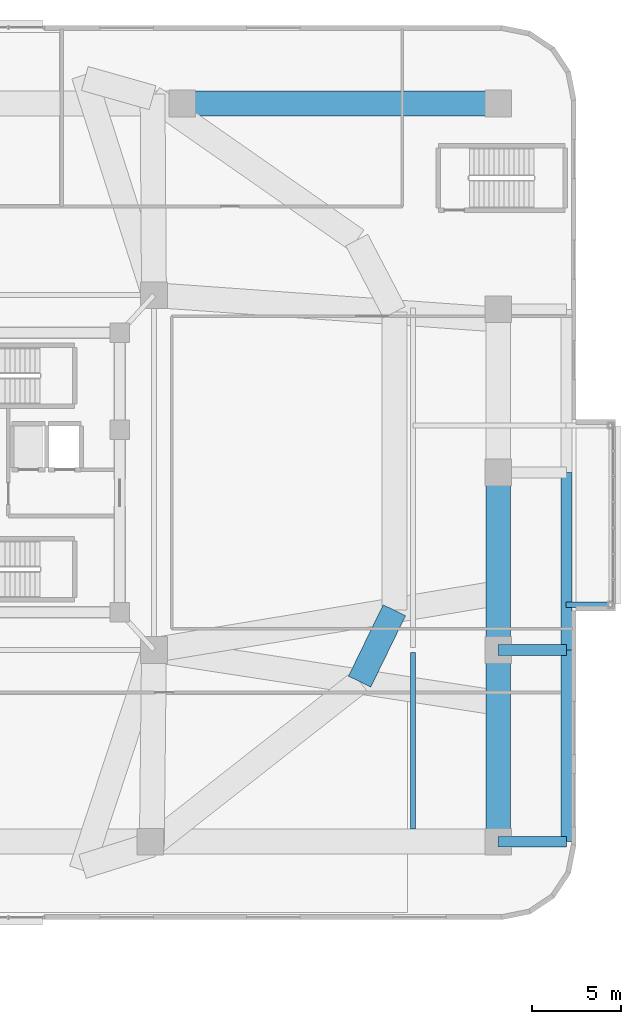
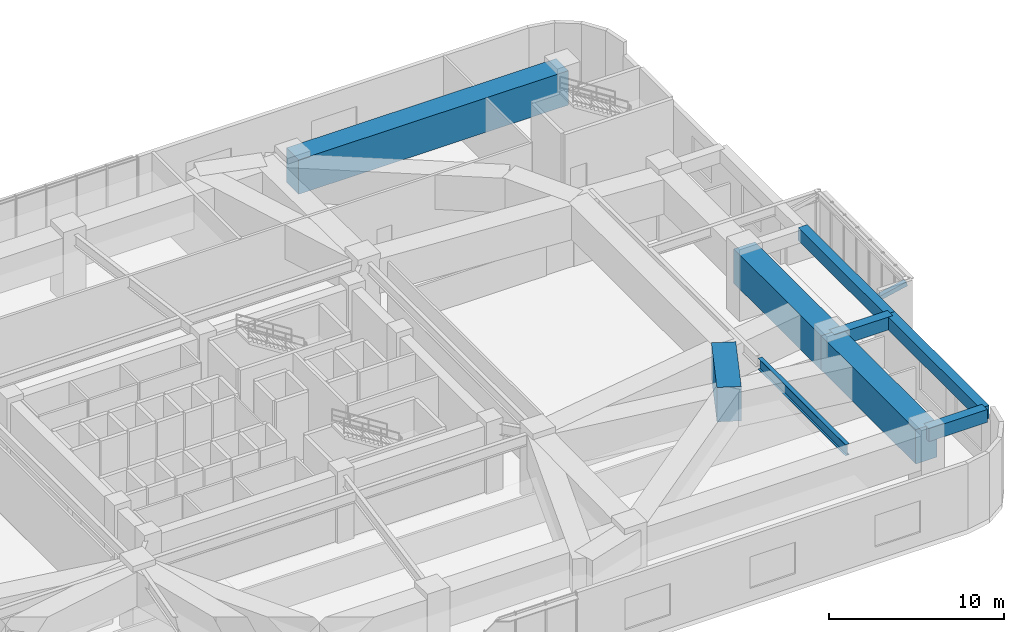
# One storey, part 11 of 26: 9 beams, 1 member.
"""IFC4 building model written with IfcOpenShell, lengths in metres."""

from ifc_helpers import new_model, si_unit, direction, frame, origin, origin_2d, place, context, subcontext, project, spatial, rectangle, hollow_rectangle, i_section, extrude, material, material_profile, profile_set, type_object, element, save


model = new_model("IFC4")

# Units and contexts
model_context = context("Model", 3, precision=1e-05, world=origin(), true_north=direction((0.0, 1.0)))
body_context = subcontext(model_context, "Body", "Model", "MODEL_VIEW")
ifc_project = project(units=[si_unit("LENGTHUNIT", "METRE"), si_unit("AREAUNIT", "SQUARE_METRE"), si_unit("VOLUMEUNIT", "CUBIC_METRE"), si_unit("PLANEANGLEUNIT", "RADIAN"), si_unit("MASSUNIT", "GRAM", prefix="KILO")], contexts=[model_context])

# Site, building, storey
site_placement = place(None, origin())
site = spatial("IfcSite", under=ifc_project, at=site_placement, CompositionType="ELEMENT")
building_placement = place(site_placement, origin())
building = spatial("IfcBuilding", under=site, at=building_placement, Name="Zulverin Broadcast Headquarters", CompositionType="ELEMENT")
storey_placement = place(building_placement, frame((0.0, 0.0, 20.0)))
storey = spatial("IfcBuildingStorey", under=building, at=storey_placement, Name="L04", CompositionType="ELEMENT", Elevation=20.0)

# Beams
ifc_material_1 = material(Name="Concrete C40/50", Category="concrete")
ifc_material_profile_1 = material_profile(ifc_material_1, rectangle(XDim=0.60009765625, YDim=0.89990234375, at=origin_2d()), Name="Concrete C40/50", Category="concrete")
ifc_profile_set_1 = profile_set([ifc_material_profile_1], Name="Concrete C40/50")
beam_type_1 = type_object("IfcBeamType", Name="BM-RC-600x900", PredefinedType="BEAM", material=ifc_profile_set_1)
for number, where, z_axis, x_axis, name in (
    (1, (69.60009765625, 4.39990234375, 4.14990234375), (1.0, 0.0, 0.0), (0.0, 1.0, 0.0), "L04 East Perimeter Bracket Girder EBR-1"),
    (2, (69.60009765625, 15.199951171875, 4.14990234375), (1.0, 0.0, 0.0), (0.0, 1.0, 0.0), "L04 East Perimeter Bracket Girder EBR-2"),
):
    element("IfcBeam", number, at=place(storey_placement, frame(where, z_axis=z_axis, x_axis=x_axis)), inside=storey, type_object=beam_type_1, Name=name, PredefinedType="BEAM", context=body_context, shape_type="SweptSolid", body=[
        extrude(rectangle(XDim=0.60009765625, YDim=0.89990234375, at=origin_2d()), origin(), (0.0, 0.0, 1.0), 3.849853515625),
    ])
beam_1_placement = place(storey_placement, frame((73.449951171875, 4.39990234375, 4.14990234375), z_axis=(0.0, 1.0, 0.0), x_axis=(-1.0, 0.0, 0.0)))
element("IfcBeam", 3, at=beam_1_placement, inside=storey, type_object=beam_type_1, Name="L04 East Edge Spandrel Girder EEG-1", PredefinedType="BEAM", context=body_context, shape_type="SweptSolid", body=[
    extrude(rectangle(XDim=0.60009765625, YDim=0.89990234375, at=origin_2d()), origin(), (0.0, 0.0, 1.0), 10.800048828125),
])
beam_2_placement = place(storey_placement, frame((73.449951171875, 15.199951171875, 4.14990234375), z_axis=(0.0, 1.0, 0.0), x_axis=(-1.0, 0.0, 0.0)))
element("IfcBeam", 4, at=beam_2_placement, inside=storey, type_object=beam_type_1, Name="L04 East Edge Spandrel Girder EEG-2", PredefinedType="BEAM", context=body_context, shape_type="SweptSolid", body=[
    extrude(rectangle(XDim=0.60009765625, YDim=0.89990234375, at=origin_2d()), origin(), (0.0, 0.0, 1.0), 10.0),
])
ifc_material_2 = material(Name="Concrete C60/75", Category="concrete")
ifc_material_profile_2 = material_profile(ifc_material_2, rectangle(XDim=1.39990234375, YDim=2.39990234375, at=origin_2d()), Name="Concrete C60/75", Category="concrete")
ifc_profile_set_2 = profile_set([ifc_material_profile_2], Name="Concrete C60/75")
beam_type_2 = type_object("IfcBeamType", Name="BM-TG-1400x2400", PredefinedType="USERDEFINED", material=ifc_profile_set_2)
beam_3_placement = place(storey_placement, frame((69.60009765625, 4.39990234375, 3.39990234375), z_axis=(0.0, 1.0, 0.0), x_axis=(-1.0, 0.0, 0.0)))
element("IfcBeam", 5, at=beam_3_placement, inside=storey, type_object=beam_type_2, Name="L04 Podium Transfer Ring Girder P05-P14", ObjectType="TRANSFER GIRDER", PredefinedType="USERDEFINED", context=body_context, shape_type="SweptSolid", body=[
    extrude(rectangle(XDim=1.39990234375, YDim=2.39990234375, at=origin_2d()), origin(), (0.0, 0.0, 1.0), 10.800048828125),
])
beam_4_placement = place(storey_placement, frame((69.60009765625, 15.199951171875, 3.39990234375), z_axis=(0.0, 1.0, 0.0), x_axis=(-1.0, 0.0, 0.0)))
element("IfcBeam", 6, at=beam_4_placement, inside=storey, type_object=beam_type_2, Name="L04 Podium Transfer Ring Girder P14-P15", ObjectType="TRANSFER GIRDER", PredefinedType="USERDEFINED", context=body_context, shape_type="SweptSolid", body=[
    extrude(rectangle(XDim=1.39990234375, YDim=2.39990234375, at=origin_2d()), origin(), (0.0, 0.0, 1.0), 10.0),
])
beam_5_placement = place(storey_placement, frame((69.60009765625, 46.0, 3.39990234375), z_axis=(-1.0, 0.0, 0.0), x_axis=(0.0, -1.0, 0.0)))
element("IfcBeam", 7, at=beam_5_placement, inside=storey, type_object=beam_type_2, Name="L04 Podium Transfer Ring Girder P10-P09", ObjectType="TRANSFER GIRDER", PredefinedType="USERDEFINED", context=body_context, shape_type="SweptSolid", body=[
    extrude(rectangle(XDim=1.39990234375, YDim=2.39990234375, at=origin_2d()), origin(), (0.0, 0.0, 1.0), 17.800048828125),
])
beam_6_placement = place(storey_placement, frame((61.79296875, 13.416259765625, 3.39990234375), z_axis=(0.437408475872, 0.899262934428, 0.0), x_axis=(-0.899262934428, 0.437408475872, 0.0)))
element("IfcBeam", 8, at=beam_6_placement, inside=storey, type_object=beam_type_2, Name="L05 Tower Base Transfer Ring Girder TGR-04", ObjectType="TRANSFER GIRDER", PredefinedType="USERDEFINED", context=body_context, shape_type="SweptSolid", body=[
    extrude(rectangle(XDim=1.39990234375, YDim=2.39990234375, at=origin_2d()), origin(), (0.0, 0.0, 1.0), 4.47412109375),
])
ifc_material_3 = material(Name="Structural steel S355JR", Category="steel")
ifc_material_profile_3 = material_profile(ifc_material_3, i_section(OverallWidth=0.26806640625, OverallDepth=0.769775390625, WebThickness=0.015625, FlangeThickness=0.025390625, at=origin_2d()), Name="Structural steel S355JR", Category="steel")
ifc_profile_set_3 = profile_set([ifc_material_profile_3], Name="Structural steel S355JR")
beam_type_3 = type_object("IfcBeamType", Name="BM-UB-762", PredefinedType="BEAM", material=ifc_profile_set_3)
beam_7_placement = place(storey_placement, frame((64.800048828125, 5.10009765625, 4.215087890625), z_axis=(0.0, 1.0, 0.0), x_axis=(-1.0, 0.0, 0.0)))
element("IfcBeam", 9, at=beam_7_placement, inside=storey, type_object=beam_type_3, Name="L04 East Back-Span Anchor Beam ESBA-1", PredefinedType="BEAM", context=body_context, shape_type="SweptSolid", body=[
    extrude(i_section(OverallWidth=0.26806640625, OverallDepth=0.769775390625, WebThickness=0.015625, FlangeThickness=0.025390625, at=origin_2d()), origin(), (0.0, 0.0, 1.0), 9.9658203125),
])

# Member
ifc_material_profile_4 = material_profile(ifc_material_3, hollow_rectangle(XDim=0.300048828125, YDim=0.300048828125, WallThickness=0.01611328125, at=origin_2d()), Name="Structural steel S355JR", Category="steel")
ifc_profile_set_4 = profile_set([ifc_material_profile_4], Name="Structural steel S355JR")
member_type = type_object("IfcMemberType", Name="MBR-BLT-DIAG1", PredefinedType="BRACE", material=ifc_profile_set_4)
member_placement = place(storey_placement, frame((73.449951171875, 17.75, 3.75), z_axis=(0.976640463768, 0.0, 0.214879977038), x_axis=(0.0, 1.0, 0.0)))
element("IfcMember", 10, at=member_placement, inside=storey, type_object=member_type, Name="L04 Studio Box Raking Knee Brace SBOX_POD_UPPER_E1-1", PredefinedType="BRACE", context=body_context, shape_type="SweptSolid", body=[
    extrude(hollow_rectangle(XDim=0.300048828125, YDim=0.300048828125, WallThickness=0.01611328125, at=origin_2d()), origin(), (0.0, 0.0, 1.0), 2.559814453125),
])

save(model, "model.ifc")
